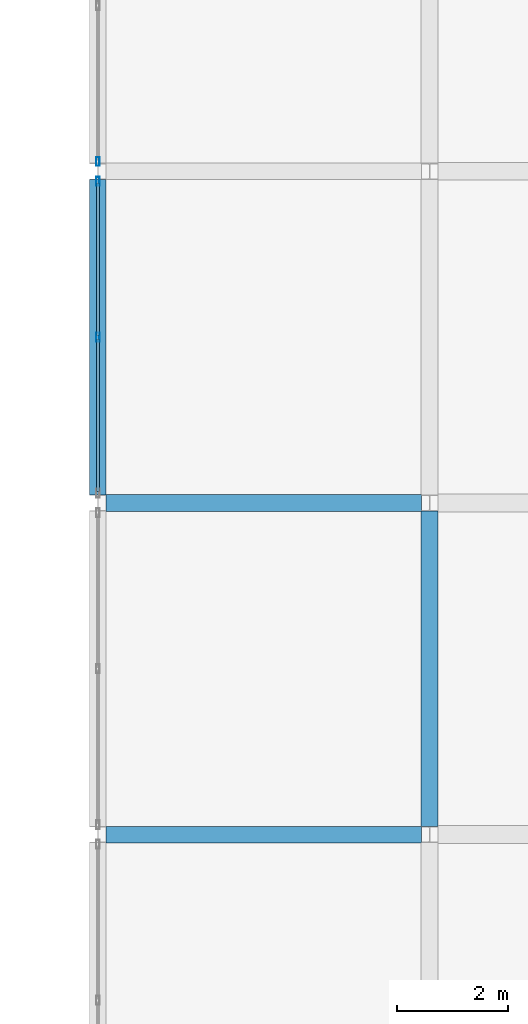
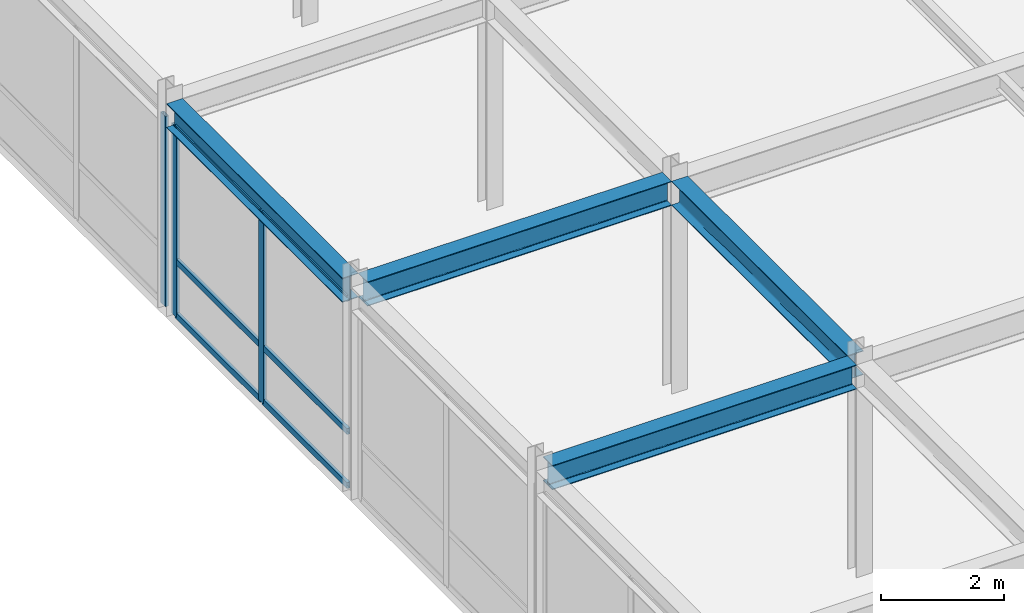
# One storey, part 86 of 108: 9 members, 4 beams, 2 elements without a shape of their own.
"""IFC4 building model written with IfcOpenShell, lengths in metres."""

from ifc_helpers import new_model, si_unit, direction, frame, origin, origin_2d, place, context, subcontext, project, spatial, hollow_rectangle, i_section, extrude, material, layer, layer_set, material_profile, profile_set, type_object, element, aggregate, save


model = new_model("IFC4")

# Units and contexts
model_context = context("Model", 3, precision=1e-05, world=origin(), true_north=direction((0.0, 1.0)))
body_context = subcontext(model_context, "Body", "Model", "MODEL_VIEW")
ifc_project = project(units=[si_unit("LENGTHUNIT", "METRE"), si_unit("AREAUNIT", "SQUARE_METRE"), si_unit("VOLUMEUNIT", "CUBIC_METRE"), si_unit("PLANEANGLEUNIT", "RADIAN"), si_unit("MASSUNIT", "GRAM", prefix="KILO")], contexts=[model_context])

# Site, building, storey
site_placement = place(None, origin())
site = spatial("IfcSite", under=ifc_project, at=site_placement, CompositionType="ELEMENT")
building_placement = place(site_placement, origin())
building = spatial("IfcBuilding", under=site, at=building_placement, Name="Zlatovratsky Civic Hall", CompositionType="ELEMENT")
storey_placement = place(building_placement, frame((0.0, 0.0, 12.0)))
storey = spatial("IfcBuildingStorey", under=building, at=storey_placement, Name="L03", CompositionType="ELEMENT", Elevation=12.0)

# Beams
ifc_material_1 = material(Name="Steel S355", Category="steel")
ifc_material_profile_1 = material_profile(ifc_material_1, i_section(OverallWidth=0.300048828125, OverallDepth=0.48193359375, WebThickness=0.010986328125, FlangeThickness=0.014892578125, FilletRadius=0.02392578125, at=origin_2d()), Name="50Sh1")
ifc_profile_set_1 = profile_set([ifc_material_profile_1], Name="Steel S355")
beam_type = type_object("IfcBeamType", Name="Beam_LibraryGirder_50Sh1", PredefinedType="BEAM", material=ifc_profile_set_1)
for number, where, z_axis, x_axis, name in (
    (1, (150.1494140625, 48.0, 3.97900390625), (1.0, 0.0, 0.0), (0.0, 1.0, 0.0), "BM-2583"),
    (2, (150.1494140625, 54.0, 3.97900390625), (1.0, 0.0, 0.0), (0.0, 1.0, 0.0), "BM-2593"),
):
    element("IfcBeam", number, at=place(storey_placement, frame(where, z_axis=z_axis, x_axis=x_axis)), inside=storey, type_object=beam_type, Name=name, PredefinedType="BEAM", context=body_context, shape_type="SweptSolid", body=[
        extrude(i_section(OverallWidth=0.300048828125, OverallDepth=0.48193359375, WebThickness=0.010986328125, FlangeThickness=0.014892578125, FilletRadius=0.02392578125, at=origin_2d()), origin(), (0.0, 0.0, 1.0), 5.701171875),
    ])
for number, where, z_axis, x_axis, name in (
    (3, (150.0, 54.14794921875, 3.97900390625), (0.0, 1.0, 0.0), (-1.0, 0.0, 0.0), "BM-3076"),
    (4, (156.0, 48.14794921875, 3.97900390625), (0.0, 1.0, 0.0), (-1.0, 0.0, 0.0), "BM-3092"),
):
    element("IfcBeam", number, at=place(storey_placement, frame(where, z_axis=z_axis, x_axis=x_axis)), inside=storey, type_object=beam_type, Name=name, PredefinedType="BEAM", context=body_context, shape_type="SweptSolid", body=[
        extrude(i_section(OverallWidth=0.300048828125, OverallDepth=0.48193359375, WebThickness=0.010986328125, FlangeThickness=0.014892578125, FilletRadius=0.02392578125, at=origin_2d()), origin(), (0.0, 0.0, 1.0), 5.7041015625),
    ])

# Curtain wall, members
ifc_material_2 = material(Name="Anodised bronze aluminium", Category="aluminium")
ifc_layer = layer(ifc_material_2, 0.159912109375)
ifc_layer_set = layer_set([ifc_layer], Name="Anodised bronze aluminium")
curtain_wall_type = type_object("IfcCurtainWallType", Name="CurtainWall_Bronze_5700x3770_12", PredefinedType="NOTDEFINED", material=ifc_layer_set)
curtain_wall_1_placement = place(storey_placement, origin())
curtain_wall_1 = element("IfcCurtainWall", 5, at=curtain_wall_1_placement, inside=storey, type_object=curtain_wall_type, Name="CW-085", PredefinedType="NOTDEFINED")
ifc_material_profile_2 = material_profile(ifc_material_2, hollow_rectangle(XDim=0.06005859375, YDim=0.159912109375, WallThickness=0.00390625, at=origin_2d()), Name="ALU 60x160x4")
ifc_profile_set_2 = profile_set([ifc_material_profile_2], Name="Anodised bronze aluminium")
member_type_1 = type_object("IfcMemberType", Name="CW_Mullion_60x160", PredefinedType="MULLION", material=ifc_profile_set_2)
member_1_placement = place(storey_placement, frame((150.0, 57.0, 0.0), z_axis=(0.0, 0.0, 1.0), x_axis=(-1.0, 0.0, 0.0)))
member_1 = element("IfcMember", 6, at=member_1_placement, type_object=member_type_1, Name="CW-12 mullion 2", PredefinedType="MULLION", context=body_context, shape_type="SweptSolid", body=[
    extrude(hollow_rectangle(XDim=0.06005859375, YDim=0.159912109375, WallThickness=0.00390625, at=origin_2d()), origin(), (0.0, 0.0, 1.0), 3.77001953125),
])
member_2_placement = place(storey_placement, frame((150.0, 59.822021484375, 0.0), z_axis=(0.0, 0.0, 1.0), x_axis=(-1.0, 0.0, 0.0)))
member_2 = element("IfcMember", 7, at=member_2_placement, type_object=member_type_1, Name="CW-12 mullion 3", PredefinedType="MULLION", context=body_context, shape_type="SweptSolid", body=[
    extrude(hollow_rectangle(XDim=0.06005859375, YDim=0.159912109375, WallThickness=0.00390625, at=origin_2d()), origin(), (0.0, 0.0, 1.0), 3.77001953125),
])

# Curtain wall, member
curtain_wall_2_placement = place(storey_placement, origin())
curtain_wall_2 = element("IfcCurtainWall", 8, at=curtain_wall_2_placement, inside=storey, type_object=curtain_wall_type, Name="CW-086", PredefinedType="NOTDEFINED")
member_3_placement = place(storey_placement, frame((150.0, 60.177978515625, 0.0), z_axis=(0.0, 0.0, 1.0), x_axis=(-1.0, 0.0, 0.0)))
member_3 = element("IfcMember", 9, at=member_3_placement, type_object=member_type_1, Name="CW-12 mullion 1", PredefinedType="MULLION", context=body_context, shape_type="SweptSolid", body=[
    extrude(hollow_rectangle(XDim=0.06005859375, YDim=0.159912109375, WallThickness=0.00390625, at=origin_2d()), origin(), (0.0, 0.0, 1.0), 3.77001953125),
])
aggregate(curtain_wall_2, [member_3])

# Member
ifc_material_profile_3 = material_profile(ifc_material_2, hollow_rectangle(XDim=0.06005859375, YDim=0.1201171875, WallThickness=0.00390625, at=origin_2d()), Name="ALU 60x120x4")
ifc_profile_set_3 = profile_set([ifc_material_profile_3], Name="Anodised bronze aluminium")
member_type_2 = type_object("IfcMemberType", Name="CW_Transom_60x120", PredefinedType="USERDEFINED", material=ifc_profile_set_3)
member_4_placement = place(storey_placement, frame((150.0, 54.2080078125, 0.030029296875), z_axis=(0.0, 1.0, 0.0), x_axis=(-1.0, 0.0, 0.0)))
member_4 = element("IfcMember", 10, at=member_4_placement, type_object=member_type_2, Name="CW-12 transom 1.1", ObjectType="TRANSOM", PredefinedType="USERDEFINED", context=body_context, shape_type="SweptSolid", body=[
    extrude(hollow_rectangle(XDim=0.06005859375, YDim=0.1201171875, WallThickness=0.00390625, at=origin_2d()), origin(), (0.0, 0.0, 1.0), 2.761962890625),
])

member_5_placement = place(storey_placement, frame((150.0, 54.2080078125, 1.10009765625), z_axis=(0.0, 1.0, 0.0), x_axis=(-1.0, 0.0, 0.0)))
member_5 = element("IfcMember", 11, at=member_5_placement, type_object=member_type_2, Name="CW-12 transom 1.2", ObjectType="TRANSOM", PredefinedType="USERDEFINED", context=body_context, shape_type="SweptSolid", body=[
    extrude(hollow_rectangle(XDim=0.06005859375, YDim=0.1201171875, WallThickness=0.00390625, at=origin_2d()), origin(), (0.0, 0.0, 1.0), 2.761962890625),
])

member_6_placement = place(storey_placement, frame((150.0, 54.2080078125, 3.739990234375), z_axis=(0.0, 1.0, 0.0), x_axis=(-1.0, 0.0, 0.0)))
member_6 = element("IfcMember", 12, at=member_6_placement, type_object=member_type_2, Name="CW-12 transom 1.3", ObjectType="TRANSOM", PredefinedType="USERDEFINED", context=body_context, shape_type="SweptSolid", body=[
    extrude(hollow_rectangle(XDim=0.06005859375, YDim=0.1201171875, WallThickness=0.00390625, at=origin_2d()), origin(), (0.0, 0.0, 1.0), 2.761962890625),
])

member_7_placement = place(storey_placement, frame((150.0, 57.030029296875, 0.030029296875), z_axis=(0.0, 1.0, 0.0), x_axis=(-1.0, 0.0, 0.0)))
member_7 = element("IfcMember", 13, at=member_7_placement, type_object=member_type_2, Name="CW-12 transom 2.1", ObjectType="TRANSOM", PredefinedType="USERDEFINED", context=body_context, shape_type="SweptSolid", body=[
    extrude(hollow_rectangle(XDim=0.06005859375, YDim=0.1201171875, WallThickness=0.00390625, at=origin_2d()), origin(), (0.0, 0.0, 1.0), 2.761962890625),
])

member_8_placement = place(storey_placement, frame((150.0, 57.030029296875, 1.10009765625), z_axis=(0.0, 1.0, 0.0), x_axis=(-1.0, 0.0, 0.0)))
member_8 = element("IfcMember", 14, at=member_8_placement, type_object=member_type_2, Name="CW-12 transom 2.2", ObjectType="TRANSOM", PredefinedType="USERDEFINED", context=body_context, shape_type="SweptSolid", body=[
    extrude(hollow_rectangle(XDim=0.06005859375, YDim=0.1201171875, WallThickness=0.00390625, at=origin_2d()), origin(), (0.0, 0.0, 1.0), 2.761962890625),
])

member_9_placement = place(storey_placement, frame((150.0, 57.030029296875, 3.739990234375), z_axis=(0.0, 1.0, 0.0), x_axis=(-1.0, 0.0, 0.0)))
member_9 = element("IfcMember", 15, at=member_9_placement, type_object=member_type_2, Name="CW-12 transom 2.3", ObjectType="TRANSOM", PredefinedType="USERDEFINED", context=body_context, shape_type="SweptSolid", body=[
    extrude(hollow_rectangle(XDim=0.06005859375, YDim=0.1201171875, WallThickness=0.00390625, at=origin_2d()), origin(), (0.0, 0.0, 1.0), 2.761962890625),
])

aggregate(curtain_wall_1, [member_1, member_2, member_4, member_5, member_6, member_7, member_8, member_9])

save(model, "model.ifc")
